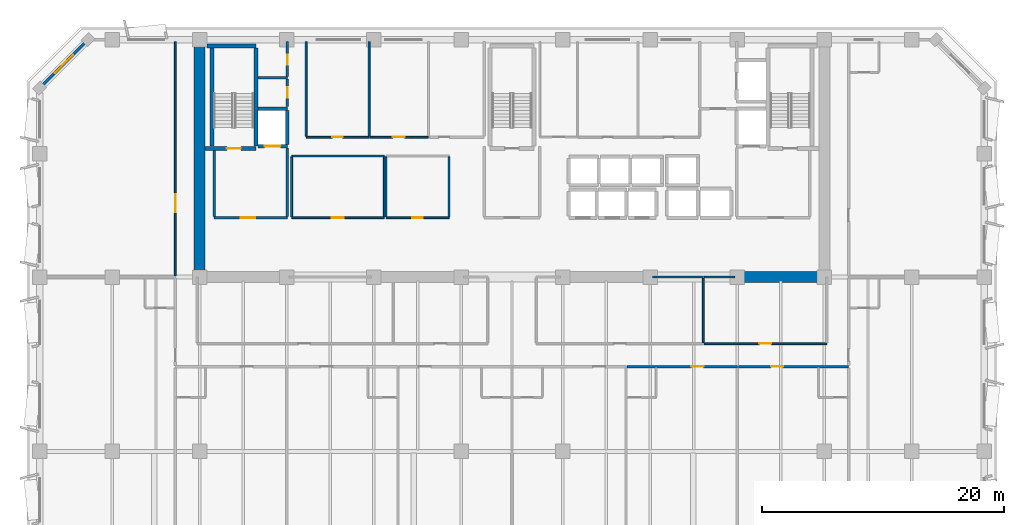
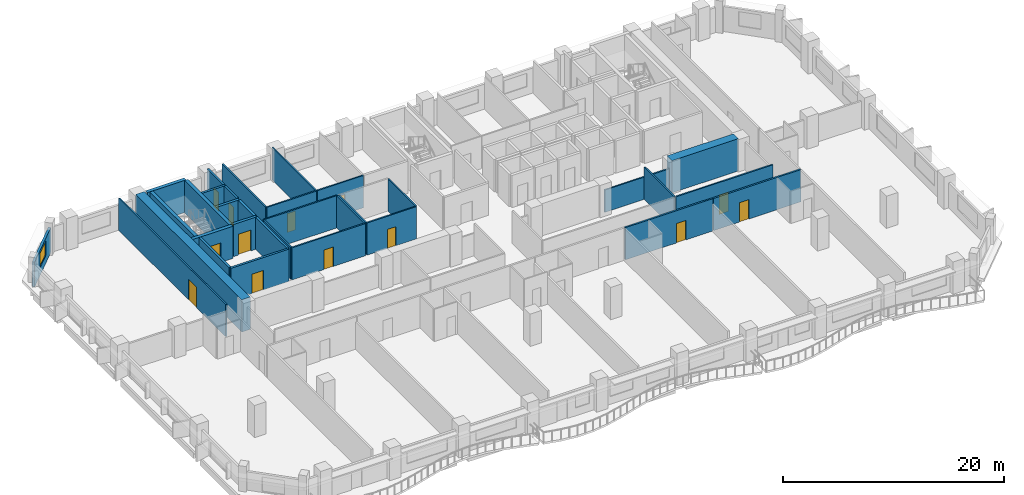
# One storey, part 6 of 14: 34 walls, 13 doors, 1 window, 14 openings.
"""IFC4 building model written with IfcOpenShell, lengths in metres."""

import ifcopenshell
import ifcopenshell.guid

model = None  # the IFC model being written
_history = None  # IfcOwnerHistory: only IFC2X3 demands one
_inside = {}  # id of a spatial element -> (the spatial element, [elements in it])
_under = {}  # id of a project, library or spatial element -> (it, [spatial elements below it])
_declared = {}  # id of a project -> (the project, [libraries it declares])
_typed = {}  # id of a type object -> (the type object, [elements of that type])
_made_of = {}  # id of a material, layer set ... -> (it, [elements and type objects made of it])


def new_model(schema):
    """Start an empty IFC model of exactly this schema.

    Asked for "IFC4X3", IfcOpenShell would pick the latest addendum, in which some entities
    have other attributes; the version numbers below select the first issue.
    IFC2X3 requires an IfcOwnerHistory on every rooted entity: one is made here for all.
    """
    global model, _history
    if schema == "IFC4X3":
        model = ifcopenshell.file(schema_version=(4, 3, 0, 0))
    else:
        model = ifcopenshell.file(schema=schema)
    _inside.clear()
    _under.clear()
    _declared.clear()
    _typed.clear()
    _made_of.clear()
    _history = None
    if model.schema == "IFC2X3":
        org = make("IfcOrganization", Name="unknown")
        user = make(
            "IfcPersonAndOrganization",
            ThePerson=make("IfcPerson", FamilyName="unknown"),
            TheOrganization=org,
        )
        app = make(
            "IfcApplication",
            ApplicationDeveloper=org,
            Version="unknown",
            ApplicationFullName="unknown",
            ApplicationIdentifier="unknown",
        )
        _history = make(
            "IfcOwnerHistory",
            OwningUser=user,
            OwningApplication=app,
            ChangeAction="ADDED",
            CreationDate=0,
        )
    return model


def make(cls, **values):
    """One entity of the class cls with the attributes given. An attribute that is None is left unset."""
    return model.create_entity(
        cls, **{name: value for name, value in values.items() if value is not None}
    )


def rooted(cls, **values):
    """An entity with a GlobalId (a new one), such as an element, a storey or a relation."""
    return make(cls, GlobalId=ifcopenshell.guid.new(), OwnerHistory=_history, **values)


def si_unit(unit_type, name, prefix=None):
    """IfcSIUnit, for example si_unit("LENGTHUNIT", "METRE", prefix="MILLI")."""
    return make("IfcSIUnit", UnitType=unit_type, Prefix=prefix, Name=name)


def assignment(units):
    """IfcUnitAssignment: the units of a project."""
    return None if units is None else make("IfcUnitAssignment", Units=units)


def point(xyz):
    """IfcCartesianPoint."""
    return None if xyz is None else make("IfcCartesianPoint", Coordinates=xyz)


def direction(xyz):
    """IfcDirection."""
    return None if xyz is None else make("IfcDirection", DirectionRatios=xyz)


def frame(location, z_axis=None, x_axis=None):
    """IfcAxis2Placement3D, a coordinate frame: its origin and axes. An axis left out is left unset."""
    return make(
        "IfcAxis2Placement3D",
        Location=point(location),
        Axis=direction(z_axis),
        RefDirection=direction(x_axis),
    )


def frame_2d(location, x_axis=None):
    """IfcAxis2Placement2D, a coordinate frame in the plane: its origin and x axis."""
    return make(
        "IfcAxis2Placement2D", Location=point(location), RefDirection=direction(x_axis)
    )


def origin():
    """The frame at (0, 0, 0) with its axes left unset."""
    return frame((0.0, 0.0, 0.0))


def place(relative_to, where):
    """IfcLocalPlacement: puts the frame where relative to a parent placement (None: the world)."""
    return make(
        "IfcLocalPlacement", PlacementRelTo=relative_to, RelativePlacement=where
    )


def context(
    kind, dimensions, precision=None, world=None, true_north=None, identifier=None
):
    """IfcGeometricRepresentationContext, for example the 3D "Model" context."""
    return make(
        "IfcGeometricRepresentationContext",
        ContextIdentifier=identifier,
        ContextType=kind,
        CoordinateSpaceDimension=dimensions,
        Precision=precision,
        WorldCoordinateSystem=world,
        TrueNorth=true_north,
    )


def subcontext(parent, identifier, kind, view, scale=None):
    """IfcGeometricRepresentationSubContext, for example "Body" below "Model"."""
    return make(
        "IfcGeometricRepresentationSubContext",
        ContextIdentifier=identifier,
        ContextType=kind,
        ParentContext=parent,
        TargetScale=scale,
        TargetView=view,
    )


def project(units=None, contexts=None):
    """IfcProject with its units and contexts."""
    return rooted(
        "IfcProject",
        Name="project",
        RepresentationContexts=contexts,
        UnitsInContext=assignment(units),
    )


def spatial(cls, under=None, at=None, **own):
    """A site, building, storey or space (cls), placed at a placement, below another one or the project."""
    s = rooted(cls, ObjectPlacement=at, **own)
    if under is not None:
        _under.setdefault(under.id(), (under, []))[1].append(s)
    return s


def profile(cls, at=None, kind="AREA", **sizes):
    """A parametric profile (cls). Its sizes go by their IFC names, for example OverallWidth=200.0."""
    return make(cls, ProfileType=kind, Position=at, **sizes)


def rectangle(**sizes):
    """IfcRectangleProfileDef."""
    return profile("IfcRectangleProfileDef", **sizes)


def extrude(swept, where, along, depth):
    """IfcExtrudedAreaSolid: the profile swept, set in the frame where, extruded along a direction by depth."""
    return make(
        "IfcExtrudedAreaSolid",
        SweptArea=swept,
        Position=where,
        ExtrudedDirection=direction(along),
        Depth=depth,
    )


def shape(context_of_items, identifier, shape_type, items):
    """IfcShapeRepresentation: the items that make up one representation, for example the "Body"."""
    return make(
        "IfcShapeRepresentation",
        ContextOfItems=context_of_items,
        RepresentationIdentifier=identifier,
        RepresentationType=shape_type,
        Items=items,
    )


def material(Name=None, Category=None):
    """IfcMaterial."""
    return make("IfcMaterial", Name=Name, Category=Category)


def layer(
    of_material, thickness, ventilated=None, Name=None, Category=None, Priority=None
):
    """IfcMaterialLayer: one layer of a wall or slab, of a material (None: an air gap)."""
    return make(
        "IfcMaterialLayer",
        Material=of_material,
        LayerThickness=thickness,
        IsVentilated=ventilated,
        Name=Name,
        Category=Category,
        Priority=Priority,
    )


def layer_set(layers, Name=None):
    """IfcMaterialLayerSet."""
    return make("IfcMaterialLayerSet", MaterialLayers=layers, LayerSetName=Name)


def made_of(thing, what):
    """Note that an element or type object is made of a material, layer set ...; save() writes the relation."""
    if what is not None:
        _made_of.setdefault(what.id(), (what, []))[1].append(thing)
    return thing


def type_object(cls, material=None, **own):
    """A type object (cls), such as IfcWallType, which elements share."""
    return made_of(rooted(cls, **own), material)


def element(
    cls,
    number,
    at=None,
    inside=None,
    cuts=None,
    type_object=None,
    material=None,
    context=None,
    identifier="Body",
    shape_type=None,
    held_by="IfcProductDefinitionShape",
    body=None,
    shapes=None,
    **own,
):
    """One element of the class cls, such as IfcWall. Its Tag is "e" and its number.

    at: its placement. inside: the storey or other place that contains it. cuts: it is an
    opening in that element (IfcRelVoidsElement). A single representation is given by context,
    identifier, shape_type and body (its items); several are given by shapes. held_by: the class
    of the entity that holds the representations. save() writes the other relations.
    """
    e = rooted(cls, Tag="e%d" % number, ObjectPlacement=at, **own)
    if body is not None:
        shapes = [shape(context, identifier, shape_type, body)]
    if shapes is not None:
        e.Representation = make(held_by, Representations=shapes)
    if inside is not None:
        _inside.setdefault(inside.id(), (inside, []))[1].append(e)
    if cuts is not None:
        rooted(
            "IfcRelVoidsElement", RelatingBuildingElement=cuts, RelatedOpeningElement=e
        )
    if type_object is not None:
        _typed.setdefault(type_object.id(), (type_object, []))[1].append(e)
    return made_of(e, material)


def fill(opening, filler):
    """IfcRelFillsElement: the door or window that sits in an opening."""
    return rooted(
        "IfcRelFillsElement",
        RelatingOpeningElement=opening,
        RelatedBuildingElement=filler,
    )


def aggregate(whole, parts):
    """IfcRelAggregates: a whole, such as a stair, and the parts it consists of."""
    return rooted("IfcRelAggregates", RelatingObject=whole, RelatedObjects=parts)


def save(model, path):
    """Write the relations noted so far, then the file.

    IfcRelAggregates (storeys below a building ...), IfcRelContainedInSpatialStructure (elements
    in a storey), IfcRelDefinesByType, IfcRelAssociatesMaterial and IfcRelDeclares: one each for
    every whole, place, type object, material and project.
    """
    for whole, parts in _under.values():
        aggregate(whole, parts)
    for where, things in _inside.values():
        rooted(
            "IfcRelContainedInSpatialStructure",
            RelatedElements=things,
            RelatingStructure=where,
        )
    for kind, things in _typed.values():
        rooted("IfcRelDefinesByType", RelatedObjects=things, RelatingType=kind)
    for what, things in _made_of.values():
        rooted("IfcRelAssociatesMaterial", RelatedObjects=things, RelatingMaterial=what)
    for by, libraries in _declared.values():
        rooted("IfcRelDeclares", RelatingContext=by, RelatedDefinitions=libraries)
    model.write(path)


model = new_model("IFC4")

# Units and contexts
model_context = context("Model", 3, precision=1e-05, world=origin(), true_north=direction((0.0, 1.0)))
body_context = subcontext(model_context, "Body", "Model", "MODEL_VIEW")
ifc_project = project(units=[si_unit("LENGTHUNIT", "METRE"), si_unit("AREAUNIT", "SQUARE_METRE"), si_unit("VOLUMEUNIT", "CUBIC_METRE"), si_unit("PLANEANGLEUNIT", "RADIAN"), si_unit("MASSUNIT", "GRAM", prefix="KILO")], contexts=[model_context])

# Site, building, storey
site_placement = place(None, origin())
site = spatial("IfcSite", under=ifc_project, at=site_placement, CompositionType="ELEMENT")
building_placement = place(site_placement, origin())
building = spatial("IfcBuilding", under=site, at=building_placement, Name="Kaelvorn Grand Hotel", CompositionType="ELEMENT")
storey_placement = place(building_placement, frame((0.0, 0.0, 190.14990234375)))
storey = spatial("IfcBuildingStorey", under=building, at=storey_placement, Name="L46", CompositionType="ELEMENT", Elevation=190.14990234375)

# Walls
ifc_material_1 = material(Name="Concrete C60/75", Category="concrete")
ifc_layer_1 = layer(ifc_material_1, 0.89990234375)
ifc_layer_set_1 = layer_set([ifc_layer_1], Name="Concrete C60/75")
wall_type_1 = type_object("IfcWallType", Name="WL-CORE-900-C60", PredefinedType="SHEAR", material=ifc_layer_set_1)
wall_1_placement = place(storey_placement, frame((16.199951171875, 29.39990234375, 0.0), z_axis=(0.0, 0.0, 1.0), x_axis=(0.0, 1.0, 0.0)))
element("IfcWall", 1, at=wall_1_placement, inside=storey, type_object=wall_type_1, Name="L46 Rear-Core West Shear Wall", PredefinedType="SHEAR", context=body_context, shape_type="SweptSolid", body=[
    extrude(rectangle(XDim=19.2001953125, YDim=0.89990234375, at=frame_2d((9.60009765625, 0.0))), origin(), (0.0, 0.0, 1.0), 3.56005859375),
])
wall_2_placement = place(storey_placement, frame((60.39990234375, 29.39990234375, 0.0), z_axis=(0.0, 0.0, 1.0), x_axis=(1.0, 0.0, 0.0)))
element("IfcWall", 2, at=wall_2_placement, inside=storey, type_object=wall_type_1, Name="L46 Rear-Core Coupled Shear Pier S4", PredefinedType="SHEAR", context=body_context, shape_type="SweptSolid", body=[
    extrude(rectangle(XDim=6.945068359375, YDim=0.89990234375, at=frame_2d((3.47265625, 0.0))), origin(), (0.0, 0.0, 1.0), 3.56005859375),
])

# Wall, opening, window
ifc_material_2 = material(Name="Concrete C40/50", Category="concrete")
ifc_layer_2 = layer(ifc_material_2, 0.239990234375)
ifc_layer_set_2 = layer_set([ifc_layer_2], Name="Concrete C40/50")
wall_type_2 = type_object("IfcWallType", Name="WL-EXT-240-C40", PredefinedType="SOLIDWALL", material=ifc_layer_set_2)
wall_3_placement = place(storey_placement, frame((7.0, 49.0, 0.0), z_axis=(0.0, 0.0, 1.0), x_axis=(-0.707106781187, -0.707106781187, 0.0)))
wall_3 = element("IfcWall", 3, at=wall_3_placement, inside=storey, type_object=wall_type_2, Name="L46 Exterior Architectural Concrete Wall 06", PredefinedType="SOLIDWALL", context=body_context, shape_type="SweptSolid", body=[
    extrude(rectangle(XDim=5.65673828125, YDim=0.239990234375, at=frame_2d((2.828369140625, 0.0))), origin(), (0.0, 0.0, 1.0), 2.760009765625),
])
opening_1_placement = place(wall_3_placement, frame((1.7783203125, 0.0, 0.85009765625)))
opening_1 = element("IfcOpeningElement", 4, at=opening_1_placement, cuts=wall_3, Name="Opening W7", PredefinedType="OPENING", context=body_context, shape_type="SweptSolid", body=[
    extrude(rectangle(XDim=2.10009765625, YDim=1.60009765625, at=frame_2d((1.050048828125, 0.800048828125))), frame((0.0, 0.1298828125, 0.0), z_axis=(0.0, -1.0, 0.0), x_axis=(1.0, 0.0, 0.0)), (0.0, 0.0, 1.0), 0.260009765625),
])
ifc_material_3 = material(Name="Laminated Low-E Glass", Category="glass")
window_type = type_object("IfcWindowType", Name="WIN-CHM-2100x1600", PartitioningType="SINGLE_PANEL", PredefinedType="WINDOW", material=ifc_material_3)
window_placement = place(opening_1_placement, origin())
window = element("IfcWindow", 5, at=window_placement, inside=storey, type_object=window_type, Name="L46 Chamfered 45-Degree Corner Window NW", OverallHeight=1.60009765625, OverallWidth=2.10009765625, PartitioningType="SINGLE_PANEL", PredefinedType="WINDOW", context=body_context, shape_type="SweptSolid", body=[
    extrude(rectangle(XDim=2.10009765625, YDim=1.60009765625, at=frame_2d((1.050048828125, 0.800048828125))), frame((0.0, 0.030029296875, 0.0), z_axis=(0.0, -1.0, 0.0), x_axis=(1.0, 0.0, 0.0)), (0.0, 0.0, 1.0), 0.06005859375),
])
fill(opening_1, window)

# Wall, opening, door
ifc_material_4 = material(Name="Acoustic Gypsum & Stud Partition")
ifc_layer_3 = layer(ifc_material_4, 0.14990234375)
ifc_layer_set_3 = layer_set([ifc_layer_3], Name="Acoustic Gypsum & Stud Partition")
wall_type_3 = type_object("IfcWallType", Name="WL-PART-150-EI60", PredefinedType="PARTITIONING", material=ifc_layer_set_3)
wall_4_placement = place(storey_placement, frame((31.60009765625, 34.300048828125, 0.0), z_axis=(0.0, 0.0, 1.0), x_axis=(1.0, 0.0, 0.0)))
wall_4 = element("IfcWall", 6, at=wall_4_placement, inside=storey, type_object=wall_type_3, Name="L46 Core Telecoms & BMS Server Room S Partition", PredefinedType="PARTITIONING", context=body_context, shape_type="SweptSolid", body=[
    extrude(rectangle(XDim=5.199951171875, YDim=0.14990234375, at=frame_2d((2.60009765625, 0.0))), origin(), (0.0, 0.0, 1.0), 3.56005859375),
])
opening_2_placement = place(wall_4_placement, frame((2.175048828125, 0.0, 0.0)))
opening_2 = element("IfcOpeningElement", 7, at=opening_2_placement, cuts=wall_4, Name="Opening DI7", PredefinedType="OPENING", context=body_context, shape_type="SweptSolid", body=[
    extrude(rectangle(XDim=0.85009765625, YDim=2.10009765625, at=frame_2d((0.425048828125, 1.050048828125))), frame((0.0, 0.0849609375, 0.0), z_axis=(0.0, -1.0, 0.0), x_axis=(1.0, 0.0, 0.0)), (0.0, 0.0, 1.0), 0.169921875),
])
ifc_material_5 = material(Name="Powder-Coated Steel Leaf", Category="steel")
door_type_1 = type_object("IfcDoorType", Name="DR-INT-RISER-850x2100", OperationType="NOTDEFINED", PredefinedType="DOOR", material=ifc_material_5)
door_1_placement = place(opening_2_placement, origin())
door_1 = element("IfcDoor", 8, at=door_1_placement, inside=storey, type_object=door_type_1, Name="L46 Core Telecoms & BMS Server Room Door", OperationType="SINGLE_SWING_LEFT", OverallHeight=2.10009765625, OverallWidth=0.85009765625, PredefinedType="DOOR", context=body_context, shape_type="SweptSolid", body=[
    extrude(rectangle(XDim=0.85009765625, YDim=2.10009765625, at=frame_2d((0.425048828125, 1.050048828125))), frame((0.0, 0.02490234375, 0.0), z_axis=(0.0, -1.0, 0.0), x_axis=(1.0, 0.0, 0.0)), (0.0, 0.0, 1.0), 0.050048828125),
])
fill(opening_2, door_1)

# Walls
for number, where, z_axis, x_axis, name in (
    (9, (31.60009765625, 34.3798828125, 0.0), (0.0, 0.0, 1.0), (0.0, 1.0, 0.0), "L46 Core Telecoms & BMS Server Room W Partition"),
    (10, (36.800048828125, 34.3798828125, 0.0), (0.0, 0.0, 1.0), (0.0, 1.0, 0.0), "L46 Core Telecoms & BMS Server Room E Partition"),
):
    element("IfcWall", number, at=place(storey_placement, frame(where, z_axis=z_axis, x_axis=x_axis)), inside=storey, type_object=wall_type_3, Name=name, PredefinedType="PARTITIONING", context=body_context, shape_type="SweptSolid", body=[
        extrude(rectangle(XDim=4.940185546875, YDim=0.14990234375, at=frame_2d((2.47021484375, 0.0))), origin(), (0.0, 0.0, 1.0), 3.56005859375),
    ])

# Wall, opening, door
wall_5_placement = place(storey_placement, frame((23.800048828125, 34.300048828125, 0.0), z_axis=(0.0, 0.0, 1.0), x_axis=(1.0, 0.0, 0.0)))
wall_5 = element("IfcWall", 11, at=wall_5_placement, inside=storey, type_object=wall_type_3, Name="L46 Executive Club Sitting Lounge S Partition", PredefinedType="PARTITIONING", context=body_context, shape_type="SweptSolid", body=[
    extrude(rectangle(XDim=7.64990234375, YDim=0.14990234375, at=frame_2d((3.824951171875, 0.0))), origin(), (0.0, 0.0, 1.0), 3.56005859375),
])
opening_3_placement = place(wall_5_placement, frame((3.300048828125, 0.0, 0.0)))
opening_3 = element("IfcOpeningElement", 12, at=opening_3_placement, cuts=wall_5, Name="Opening DI3", PredefinedType="OPENING", context=body_context, shape_type="SweptSolid", body=[
    extrude(rectangle(XDim=1.0, YDim=2.14990234375, at=frame_2d((0.5, 1.074951171875))), frame((0.0, 0.0849609375, 0.0), z_axis=(0.0, -1.0, 0.0), x_axis=(1.0, 0.0, 0.0)), (0.0, 0.0, 1.0), 0.169921875),
])
ifc_material_6 = material(Name="Timber Veneer Fire Leaf", Category="wood")
door_type_2 = type_object("IfcDoorType", Name="DR-INT-GUEST-1000x2150", OperationType="NOTDEFINED", PredefinedType="DOOR", material=ifc_material_6)
door_2_placement = place(opening_3_placement, origin())
door_2 = element("IfcDoor", 13, at=door_2_placement, inside=storey, type_object=door_type_2, Name="L46 Executive Club Sitting Lounge Door", OperationType="SINGLE_SWING_RIGHT", OverallHeight=2.14990234375, OverallWidth=1.0, PredefinedType="DOOR", context=body_context, shape_type="SweptSolid", body=[
    extrude(rectangle(XDim=1.0, YDim=2.14990234375, at=frame_2d((0.5, 1.074951171875))), frame((0.0, 0.02490234375, 0.0), z_axis=(0.0, -1.0, 0.0), x_axis=(1.0, 0.0, 0.0)), (0.0, 0.0, 1.0), 0.050048828125),
])
fill(opening_3, door_2)

# Walls
wall_6_placement = place(storey_placement, frame((23.800048828125, 39.39990234375, 0.0), z_axis=(0.0, 0.0, 1.0), x_axis=(1.0, 0.0, 0.0)))
element("IfcWall", 14, at=wall_6_placement, inside=storey, type_object=wall_type_3, Name="L46 Executive Club Sitting Lounge N Partition", PredefinedType="PARTITIONING", context=body_context, shape_type="SweptSolid", body=[
    extrude(rectangle(XDim=7.64990234375, YDim=0.14990234375, at=frame_2d((3.824951171875, 0.0))), origin(), (0.0, 0.0, 1.0), 3.56005859375),
])
for number, where, z_axis, x_axis, name in (
    (15, (23.800048828125, 34.3798828125, 0.0), (0.0, 0.0, 1.0), (0.0, 1.0, 0.0), "L46 Executive Club Sitting Lounge W Partition"),
    (16, (31.449951171875, 34.3798828125, 0.0), (0.0, 0.0, 1.0), (0.0, 1.0, 0.0), "L46 Executive Club Sitting Lounge E Partition"),
):
    element("IfcWall", number, at=place(storey_placement, frame(where, z_axis=z_axis, x_axis=x_axis)), inside=storey, type_object=wall_type_3, Name=name, PredefinedType="PARTITIONING", context=body_context, shape_type="SweptSolid", body=[
        extrude(rectangle(XDim=4.940185546875, YDim=0.14990234375, at=frame_2d((2.47021484375, 0.0))), origin(), (0.0, 0.0, 1.0), 3.56005859375),
    ])

# Wall, opening, door
wall_7_placement = place(storey_placement, frame((25.0, 40.949951171875, 0.0), z_axis=(0.0, 0.0, 1.0), x_axis=(1.0, 0.0, 0.0)))
wall_7 = element("IfcWall", 17, at=wall_7_placement, inside=storey, type_object=wall_type_3, Name="L46 Housekeeping & Linen Room S Partition", PredefinedType="PARTITIONING", context=body_context, shape_type="SweptSolid", body=[
    extrude(rectangle(XDim=5.199951171875, YDim=0.14990234375, at=frame_2d((2.60009765625, 0.0))), origin(), (0.0, 0.0, 1.0), 3.56005859375),
])
opening_4_placement = place(wall_7_placement, frame((2.175048828125, 0.0, 0.0)))
opening_4 = element("IfcOpeningElement", 18, at=opening_4_placement, cuts=wall_7, Name="Opening DI7", PredefinedType="OPENING", context=body_context, shape_type="SweptSolid", body=[
    extrude(rectangle(XDim=0.85009765625, YDim=2.10009765625, at=frame_2d((0.425048828125, 1.050048828125))), frame((0.0, 0.0849609375, 0.0), z_axis=(0.0, -1.0, 0.0), x_axis=(1.0, 0.0, 0.0)), (0.0, 0.0, 1.0), 0.169921875),
])
door_3_placement = place(opening_4_placement, origin())
door_3 = element("IfcDoor", 19, at=door_3_placement, inside=storey, type_object=door_type_1, Name="L46 Housekeeping & Linen Room Door", OperationType="SINGLE_SWING_LEFT", OverallHeight=2.10009765625, OverallWidth=0.85009765625, PredefinedType="DOOR", context=body_context, shape_type="SweptSolid", body=[
    extrude(rectangle(XDim=0.85009765625, YDim=2.10009765625, at=frame_2d((0.425048828125, 1.050048828125))), frame((0.0, 0.02490234375, 0.0), z_axis=(0.0, -1.0, 0.0), x_axis=(1.0, 0.0, 0.0)), (0.0, 0.0, 1.0), 0.050048828125),
])
fill(opening_4, door_3)

# Walls
for number, where, z_axis, x_axis, name in (
    (20, (25.0, 41.030029296875, 0.0), (0.0, 0.0, 1.0), (0.0, 1.0, 0.0), "L46 Housekeeping & Linen Room W Partition"),
    (21, (30.199951171875, 41.030029296875, 0.0), (0.0, 0.0, 1.0), (0.0, 1.0, 0.0), "L46 Housekeeping & Linen Room E Partition"),
):
    element("IfcWall", number, at=place(storey_placement, frame(where, z_axis=z_axis, x_axis=x_axis)), inside=storey, type_object=wall_type_3, Name=name, PredefinedType="PARTITIONING", context=body_context, shape_type="SweptSolid", body=[
        extrude(rectangle(XDim=7.820068359375, YDim=0.14990234375, at=frame_2d((3.91015625, 0.0))), origin(), (0.0, 0.0, 1.0), 3.56005859375),
    ])

# Wall, opening, door
wall_8_placement = place(storey_placement, frame((30.280029296875, 40.949951171875, 0.0), z_axis=(0.0, 0.0, 1.0), x_axis=(1.0, 0.0, 0.0)))
wall_8 = element("IfcWall", 22, at=wall_8_placement, inside=storey, type_object=wall_type_3, Name="L46 Room Service Servery Pantry S Partition", PredefinedType="PARTITIONING", context=body_context, shape_type="SweptSolid", body=[
    extrude(rectangle(XDim=4.820068359375, YDim=0.14990234375, at=frame_2d((2.41015625, 0.0))), origin(), (0.0, 0.0, 1.0), 3.56005859375),
])
opening_5_placement = place(wall_8_placement, frame((1.8701171875, 0.0, 0.0)))
opening_5 = element("IfcOpeningElement", 23, at=opening_5_placement, cuts=wall_8, Name="Opening DI3", PredefinedType="OPENING", context=body_context, shape_type="SweptSolid", body=[
    extrude(rectangle(XDim=1.0, YDim=2.14990234375, at=frame_2d((0.5, 1.074951171875))), frame((0.0, 0.0849609375, 0.0), z_axis=(0.0, -1.0, 0.0), x_axis=(1.0, 0.0, 0.0)), (0.0, 0.0, 1.0), 0.169921875),
])
door_4_placement = place(opening_5_placement, origin())
door_4 = element("IfcDoor", 24, at=door_4_placement, inside=storey, type_object=door_type_2, Name="L46 Room Service Servery Pantry Door", OperationType="SINGLE_SWING_RIGHT", OverallHeight=2.14990234375, OverallWidth=1.0, PredefinedType="DOOR", context=body_context, shape_type="SweptSolid", body=[
    extrude(rectangle(XDim=1.0, YDim=2.14990234375, at=frame_2d((0.5, 1.074951171875))), frame((0.0, 0.02490234375, 0.0), z_axis=(0.0, -1.0, 0.0), x_axis=(1.0, 0.0, 0.0)), (0.0, 0.0, 1.0), 0.050048828125),
])
fill(opening_5, door_4)

# Walls
wall_9_placement = place(storey_placement, frame((53.610107421875, 29.39990234375, 0.0), z_axis=(0.0, 0.0, 1.0), x_axis=(1.0, 0.0, 0.0)))
element("IfcWall", 25, at=wall_9_placement, inside=storey, type_object=wall_type_3, Name="L46 Family Sitting Room N Partition (2)", PredefinedType="PARTITIONING", context=body_context, shape_type="SweptSolid", body=[
    extrude(rectangle(XDim=4.18994140625, YDim=0.14990234375, at=frame_2d((2.094970703125, 0.0))), origin(), (0.0, 0.0, 1.0), 2.460205078125),
])
wall_10_placement = place(storey_placement, frame((57.800048828125, 23.97998046875, 0.0), z_axis=(0.0, 0.0, 1.0), x_axis=(0.0, 1.0, 0.0)))
element("IfcWall", 26, at=wall_10_placement, inside=storey, type_object=wall_type_3, Name="L46 Family Sitting Room E Partition", PredefinedType="PARTITIONING", context=body_context, shape_type="SweptSolid", body=[
    extrude(rectangle(XDim=5.340087890625, YDim=0.14990234375, at=frame_2d((2.669921875, 0.0))), origin(), (0.0, 0.0, 1.0), 3.56005859375),
])

# Wall, opening, door
wall_11_placement = place(storey_placement, frame((57.8798828125, 23.89990234375, 0.0), z_axis=(0.0, 0.0, 1.0), x_axis=(1.0, 0.0, 0.0)))
wall_11 = element("IfcWall", 27, at=wall_11_placement, inside=storey, type_object=wall_type_3, Name="L46 VIP Dining Restaurant S Partition", PredefinedType="PARTITIONING", context=body_context, shape_type="SweptSolid", body=[
    extrude(rectangle(XDim=10.1201171875, YDim=0.14990234375, at=frame_2d((5.06005859375, 0.0))), origin(), (0.0, 0.0, 1.0), 3.56005859375),
])
opening_6_placement = place(wall_11_placement, frame((4.52001953125, 0.0, 0.0)))
opening_6 = element("IfcOpeningElement", 28, at=opening_6_placement, cuts=wall_11, Name="Opening DI3", PredefinedType="OPENING", context=body_context, shape_type="SweptSolid", body=[
    extrude(rectangle(XDim=1.0, YDim=2.14990234375, at=frame_2d((0.5, 1.074951171875))), frame((0.0, 0.0849609375, 0.0), z_axis=(0.0, -1.0, 0.0), x_axis=(1.0, 0.0, 0.0)), (0.0, 0.0, 1.0), 0.169921875),
])
door_5_placement = place(opening_6_placement, origin())
door_5 = element("IfcDoor", 29, at=door_5_placement, inside=storey, type_object=door_type_2, Name="L46 VIP Dining Restaurant Door", OperationType="SINGLE_SWING_RIGHT", OverallHeight=2.14990234375, OverallWidth=1.0, PredefinedType="DOOR", context=body_context, shape_type="SweptSolid", body=[
    extrude(rectangle(XDim=1.0, YDim=2.14990234375, at=frame_2d((0.5, 1.074951171875))), frame((0.0, 0.02490234375, 0.0), z_axis=(0.0, -1.0, 0.0), x_axis=(1.0, 0.0, 0.0)), (0.0, 0.0, 1.0), 0.050048828125),
])
fill(opening_6, door_5)

# Wall
wall_12_placement = place(storey_placement, frame((57.8798828125, 29.39990234375, 0.0), z_axis=(0.0, 0.0, 1.0), x_axis=(1.0, 0.0, 0.0)))
element("IfcWall", 30, at=wall_12_placement, inside=storey, type_object=wall_type_3, Name="L46 VIP Dining Restaurant N Partition", PredefinedType="PARTITIONING", context=body_context, shape_type="SweptSolid", body=[
    extrude(rectangle(XDim=2.510009765625, YDim=0.14990234375, at=frame_2d((1.2548828125, 0.0))), origin(), (0.0, 0.0, 1.0), 2.460205078125),
])

# Wall, opening, door
wall_13_placement = place(storey_placement, frame((14.199951171875, 29.4951171875, 0.0), z_axis=(0.0, 0.0, 1.0), x_axis=(0.0, 1.0, 0.0)))
wall_13 = element("IfcWall", 31, at=wall_13_placement, inside=storey, type_object=wall_type_3, Name="L46 North-West Family Sitting Room E Partition", PredefinedType="PARTITIONING", context=body_context, shape_type="SweptSolid", body=[
    extrude(rectangle(XDim=19.35498046875, YDim=0.14990234375, at=frame_2d((9.677490234375, 0.0))), origin(), (0.0, 0.0, 1.0), 3.56005859375),
])
opening_7_placement = place(wall_13_placement, frame((5.2548828125, 0.0, 0.0)))
opening_7 = element("IfcOpeningElement", 32, at=opening_7_placement, cuts=wall_13, Name="Opening DI5", PredefinedType="OPENING", context=body_context, shape_type="SweptSolid", body=[
    extrude(rectangle(XDim=1.5, YDim=2.25, at=frame_2d((0.75, 1.125))), frame((0.0, 0.0849609375, 0.0), z_axis=(0.0, -1.0, 0.0), x_axis=(1.0, 0.0, 0.0)), (0.0, 0.0, 1.0), 0.169921875),
])
door_type_3 = type_object("IfcDoorType", Name="DR-INT-SALON-1500x2250", OperationType="DOUBLE_DOOR_SINGLE_SWING", PredefinedType="DOOR", material=ifc_material_6)
door_6_placement = place(opening_7_placement, origin())
door_6 = element("IfcDoor", 33, at=door_6_placement, inside=storey, type_object=door_type_3, Name="L46 North-West Family Sitting Room Door", OperationType="DOUBLE_DOOR_SINGLE_SWING", OverallHeight=2.25, OverallWidth=1.5, PredefinedType="DOOR", context=body_context, shape_type="SweptSolid", body=[
    extrude(rectangle(XDim=1.5, YDim=2.25, at=frame_2d((0.75, 1.125))), frame((0.0, 0.02490234375, 0.0), z_axis=(0.0, -1.0, 0.0), x_axis=(1.0, 0.0, 0.0)), (0.0, 0.0, 1.0), 0.050048828125),
])
fill(opening_7, door_6)

ifc_layer_4 = layer(ifc_material_4, 0.179931640625)
ifc_layer_set_4 = layer_set([ifc_layer_4], Name="Acoustic Gypsum & Stud Partition")
wall_type_4 = type_object("IfcWallType", Name="WL-PART-180-EI60", PredefinedType="PARTITIONING", material=ifc_layer_set_4)
wall_14_placement = place(storey_placement, frame((51.504150390625, 22.0, 0.0), z_axis=(0.0, 0.0, 1.0), x_axis=(1.0, 0.0, 0.0)))
wall_14 = element("IfcWall", 34, at=wall_14_placement, inside=storey, type_object=wall_type_4, Name="L46 Mid-Rise Signature Suite L46-05 N Partition", PredefinedType="PARTITIONING", context=body_context, shape_type="SweptSolid", body=[
    extrude(rectangle(XDim=9.100341796875, YDim=0.179931640625, at=frame_2d((4.55029296875, 0.0))), origin(), (0.0, 0.0, 1.0), 3.56005859375),
])
opening_8_placement = place(wall_14_placement, frame((5.310302734375, 0.0, 0.0)))
opening_8 = element("IfcOpeningElement", 35, at=opening_8_placement, cuts=wall_14, Name="Opening DI3", PredefinedType="OPENING", context=body_context, shape_type="SweptSolid", body=[
    extrude(rectangle(XDim=1.0, YDim=2.14990234375, at=frame_2d((0.5, 1.074951171875))), frame((0.0, 0.10009765625, 0.0), z_axis=(0.0, -1.0, 0.0), x_axis=(1.0, 0.0, 0.0)), (0.0, 0.0, 1.0), 0.199951171875),
])
door_7_placement = place(opening_8_placement, origin())
door_7 = element("IfcDoor", 36, at=door_7_placement, inside=storey, type_object=door_type_2, Name="L46 Mid-Rise Signature Suite L46-05 Door", OperationType="SINGLE_SWING_LEFT", OverallHeight=2.14990234375, OverallWidth=1.0, PredefinedType="DOOR", context=body_context, shape_type="SweptSolid", body=[
    extrude(rectangle(XDim=1.0, YDim=2.14990234375, at=frame_2d((0.5, 1.074951171875))), frame((0.0, 0.02490234375, 0.0), z_axis=(0.0, -1.0, 0.0), x_axis=(1.0, 0.0, 0.0)), (0.0, 0.0, 1.0), 0.050048828125),
])
fill(opening_8, door_7)

wall_15_placement = place(storey_placement, frame((60.69970703125, 22.0, 0.0), z_axis=(0.0, 0.0, 1.0), x_axis=(1.0, 0.0, 0.0)))
wall_15 = element("IfcWall", 37, at=wall_15_placement, inside=storey, type_object=wall_type_4, Name="L46 Mid-Rise Signature Suite L46-06 N Partition", PredefinedType="PARTITIONING", context=body_context, shape_type="SweptSolid", body=[
    extrude(rectangle(XDim=9.100341796875, YDim=0.179931640625, at=frame_2d((4.55029296875, 0.0))), origin(), (0.0, 0.0, 1.0), 3.56005859375),
])
opening_9_placement = place(wall_15_placement, frame((2.6904296875, 0.0, 0.0)))
opening_9 = element("IfcOpeningElement", 38, at=opening_9_placement, cuts=wall_15, Name="Opening DI3", PredefinedType="OPENING", context=body_context, shape_type="SweptSolid", body=[
    extrude(rectangle(XDim=1.0, YDim=2.14990234375, at=frame_2d((0.5, 1.074951171875))), frame((0.0, 0.10009765625, 0.0), z_axis=(0.0, -1.0, 0.0), x_axis=(1.0, 0.0, 0.0)), (0.0, 0.0, 1.0), 0.199951171875),
])
door_8_placement = place(opening_9_placement, origin())
door_8 = element("IfcDoor", 39, at=door_8_placement, inside=storey, type_object=door_type_2, Name="L46 Mid-Rise Signature Suite L46-06 Door", OperationType="SINGLE_SWING_LEFT", OverallHeight=2.14990234375, OverallWidth=1.0, PredefinedType="DOOR", context=body_context, shape_type="SweptSolid", body=[
    extrude(rectangle(XDim=1.0, YDim=2.14990234375, at=frame_2d((0.5, 1.074951171875))), frame((0.0, 0.02490234375, 0.0), z_axis=(0.0, -1.0, 0.0), x_axis=(1.0, 0.0, 0.0)), (0.0, 0.0, 1.0), 0.050048828125),
])
fill(opening_9, door_8)

ifc_layer_5 = layer(ifc_material_2, 0.219970703125)
ifc_layer_set_5 = layer_set([ifc_layer_5], Name="Concrete C40/50")
wall_type_5 = type_object("IfcWallType", Name="WL-PART-220-EI120", PredefinedType="PARTITIONING", material=ifc_layer_set_5)
wall_16_placement = place(storey_placement, frame((17.39990234375, 34.300048828125, 0.0), z_axis=(0.0, 0.0, 1.0), x_axis=(1.0, 0.0, 0.0)))
wall_16 = element("IfcWall", 40, at=wall_16_placement, inside=storey, type_object=wall_type_5, Name="L46 Firefighting Lift Lobby 1 S Partition", PredefinedType="PARTITIONING", context=body_context, shape_type="SweptSolid", body=[
    extrude(rectangle(XDim=6.050048828125, YDim=0.219970703125, at=frame_2d((3.02490234375, 0.0))), origin(), (0.0, 0.0, 1.0), 3.56005859375),
])
opening_10_placement = place(wall_16_placement, frame((2.199951171875, 0.0, 0.0)))
opening_10 = element("IfcOpeningElement", 41, at=opening_10_placement, cuts=wall_16, Name="Opening DI2", PredefinedType="OPENING", context=body_context, shape_type="SweptSolid", body=[
    extrude(rectangle(XDim=1.199951171875, YDim=2.14990234375, at=frame_2d((0.60009765625, 1.074951171875))), frame((0.0, 0.1201171875, 0.0), z_axis=(0.0, -1.0, 0.0), x_axis=(1.0, 0.0, 0.0)), (0.0, 0.0, 1.0), 0.239990234375),
])
door_type_4 = type_object("IfcDoorType", Name="DR-INT-FFLOB-1200x2150", OperationType="NOTDEFINED", PredefinedType="DOOR", material=ifc_material_6)
door_9_placement = place(opening_10_placement, origin())
door_9 = element("IfcDoor", 42, at=door_9_placement, inside=storey, type_object=door_type_4, Name="L46 Firefighting Lift Lobby 1 Door", OperationType="SINGLE_SWING_LEFT", OverallHeight=2.14990234375, OverallWidth=1.199951171875, PredefinedType="DOOR", context=body_context, shape_type="SweptSolid", body=[
    extrude(rectangle(XDim=1.199951171875, YDim=2.14990234375, at=frame_2d((0.60009765625, 1.074951171875))), frame((0.0, 0.02490234375, 0.0), z_axis=(0.0, -1.0, 0.0), x_axis=(1.0, 0.0, 0.0)), (0.0, 0.0, 1.0), 0.050048828125),
])
fill(opening_10, door_9)

# Walls
wall_17_placement = place(storey_placement, frame((17.39990234375, 34.4150390625, 0.0), z_axis=(0.0, 0.0, 1.0), x_axis=(0.0, 1.0, 0.0)))
element("IfcWall", 43, at=wall_17_placement, inside=storey, type_object=wall_type_5, Name="L46 Firefighting Lift Lobby 1 W Partition", PredefinedType="PARTITIONING", context=body_context, shape_type="SweptSolid", body=[
    extrude(rectangle(XDim=5.429931640625, YDim=0.219970703125, at=frame_2d((2.71484375, 0.0))), origin(), (0.0, 0.0, 1.0), 3.56005859375),
])
wall_18_placement = place(storey_placement, frame((23.449951171875, 34.4150390625, 0.0), z_axis=(0.0, 0.0, 1.0), x_axis=(0.0, 1.0, 0.0)))
element("IfcWall", 44, at=wall_18_placement, inside=storey, type_object=wall_type_5, Name="L46 Firefighting Lift Lobby 1 E Partition", PredefinedType="PARTITIONING", context=body_context, shape_type="SweptSolid", body=[
    extrude(rectangle(XDim=5.639892578125, YDim=0.219970703125, at=frame_2d((2.81982421875, 0.0))), origin(), (0.0, 0.0, 1.0), 3.56005859375),
])
wall_19_placement = place(storey_placement, frame((21.034912109375, 45.85009765625, 0.0), z_axis=(0.0, 0.0, 1.0), x_axis=(1.0, 0.0, 0.0)))
element("IfcWall", 45, at=wall_19_placement, inside=storey, type_object=wall_type_5, Name="L46 Wet Fire & Plumbing Riser Shaft N Partition", PredefinedType="PARTITIONING", context=body_context, shape_type="SweptSolid", body=[
    extrude(rectangle(XDim=2.4150390625, YDim=0.219970703125, at=frame_2d((1.20751953125, 0.0))), origin(), (0.0, 0.0, 1.0), 3.56005859375),
])

# Wall, opening, door
wall_20_placement = place(storey_placement, frame((23.449951171875, 43.5, 0.0), z_axis=(0.0, 0.0, 1.0), x_axis=(0.0, 1.0, 0.0)))
wall_20 = element("IfcWall", 46, at=wall_20_placement, inside=storey, type_object=wall_type_5, Name="L46 Wet Fire & Plumbing Riser Shaft E Partition", PredefinedType="PARTITIONING", context=body_context, shape_type="SweptSolid", body=[
    extrude(rectangle(XDim=2.235107421875, YDim=0.219970703125, at=frame_2d((1.11767578125, 0.0))), origin(), (0.0, 0.0, 1.0), 3.56005859375),
])
opening_11_placement = place(wall_20_placement, frame((0.72509765625, 0.0, 0.0)))
opening_11 = element("IfcOpeningElement", 47, at=opening_11_placement, cuts=wall_20, Name="Opening DI7", PredefinedType="OPENING", context=body_context, shape_type="SweptSolid", body=[
    extrude(rectangle(XDim=0.85009765625, YDim=2.10009765625, at=frame_2d((0.425048828125, 1.050048828125))), frame((0.0, 0.1201171875, 0.0), z_axis=(0.0, -1.0, 0.0), x_axis=(1.0, 0.0, 0.0)), (0.0, 0.0, 1.0), 0.239990234375),
])
door_10_placement = place(opening_11_placement, origin())
door_10 = element("IfcDoor", 48, at=door_10_placement, inside=storey, type_object=door_type_1, Name="L46 Wet Fire & Plumbing Riser Shaft Door", OperationType="SINGLE_SWING_LEFT", OverallHeight=2.10009765625, OverallWidth=0.85009765625, PredefinedType="DOOR", context=body_context, shape_type="SweptSolid", body=[
    extrude(rectangle(XDim=0.85009765625, YDim=2.10009765625, at=frame_2d((0.425048828125, 1.050048828125))), frame((0.0, 0.02490234375, 0.0), z_axis=(0.0, -1.0, 0.0), x_axis=(1.0, 0.0, 0.0)), (0.0, 0.0, 1.0), 0.050048828125),
])
fill(opening_11, door_10)

wall_21_placement = place(storey_placement, frame((23.449951171875, 45.965087890625, 0.0), z_axis=(0.0, 0.0, 1.0), x_axis=(0.0, 1.0, 0.0)))
wall_21 = element("IfcWall", 49, at=wall_21_placement, inside=storey, type_object=wall_type_5, Name="L46 HV Electrical & Smoke Riser E Partition", PredefinedType="PARTITIONING", context=body_context, shape_type="SweptSolid", body=[
    extrude(rectangle(XDim=2.885009765625, YDim=0.219970703125, at=frame_2d((1.4423828125, 0.0))), origin(), (0.0, 0.0, 1.0), 3.56005859375),
])
opening_12_placement = place(wall_21_placement, frame((0.9599609375, 0.0, 0.0)))
opening_12 = element("IfcOpeningElement", 50, at=opening_12_placement, cuts=wall_21, Name="Opening DI7", PredefinedType="OPENING", context=body_context, shape_type="SweptSolid", body=[
    extrude(rectangle(XDim=0.85009765625, YDim=2.10009765625, at=frame_2d((0.425048828125, 1.050048828125))), frame((0.0, 0.1201171875, 0.0), z_axis=(0.0, -1.0, 0.0), x_axis=(1.0, 0.0, 0.0)), (0.0, 0.0, 1.0), 0.239990234375),
])
door_11_placement = place(opening_12_placement, origin())
door_11 = element("IfcDoor", 51, at=door_11_placement, inside=storey, type_object=door_type_1, Name="L46 HV Electrical & Smoke Riser Door", OperationType="SINGLE_SWING_RIGHT", OverallHeight=2.10009765625, OverallWidth=0.85009765625, PredefinedType="DOOR", context=body_context, shape_type="SweptSolid", body=[
    extrude(rectangle(XDim=0.85009765625, YDim=2.10009765625, at=frame_2d((0.425048828125, 1.050048828125))), frame((0.0, 0.02490234375, 0.0), z_axis=(0.0, -1.0, 0.0), x_axis=(1.0, 0.0, 0.0)), (0.0, 0.0, 1.0), 0.050048828125),
])
fill(opening_12, door_11)

ifc_material_7 = material(Name="Concrete C50/60", Category="concrete")
ifc_layer_6 = layer(ifc_material_7, 0.280029296875)
ifc_layer_set_6 = layer_set([ifc_layer_6], Name="Concrete C50/60")
wall_type_6 = type_object("IfcWallType", Name="WL-SHAFT-280-C50", PredefinedType="SHEAR", material=ifc_layer_set_6)
wall_22_placement = place(storey_placement, frame((21.034912109375, 40.199951171875, 0.0), z_axis=(0.0, 0.0, 1.0), x_axis=(1.0, 0.0, 0.0)))
wall_22 = element("IfcWall", 52, at=wall_22_placement, inside=storey, type_object=wall_type_6, Name="L46 Lift FFL1 Shaft South Wall", PredefinedType="SHEAR", context=body_context, shape_type="SweptSolid", body=[
    extrude(rectangle(XDim=2.4150390625, YDim=0.280029296875, at=frame_2d((1.20751953125, 0.0))), origin(), (0.0, 0.0, 1.0), 3.56005859375),
])
opening_13_placement = place(wall_22_placement, frame((0.5400390625, 0.0, 0.0)))
opening_13 = element("IfcOpeningElement", 53, at=opening_13_placement, cuts=wall_22, Name="Opening LD-FFL1", PredefinedType="OPENING", context=body_context, shape_type="SweptSolid", body=[
    extrude(rectangle(XDim=1.300048828125, YDim=2.300048828125, at=frame_2d((0.64990234375, 1.14990234375))), frame((0.0, 0.14990234375, 0.0), z_axis=(0.0, -1.0, 0.0), x_axis=(1.0, 0.0, 0.0)), (0.0, 0.0, 1.0), 0.300048828125),
])
ifc_material_8 = material(Name="Stainless Steel", Category="steel")
door_type_5 = type_object("IfcDoorType", Name="DR-LIFT-SERV-1300x2300", OperationType="DOUBLE_DOOR_SLIDING", PredefinedType="DOOR", material=ifc_material_8)
door_12_placement = place(opening_13_placement, origin())
door_12 = element("IfcDoor", 54, at=door_12_placement, inside=storey, type_object=door_type_5, Name="L46 Lift FFL1 Sliding Landing Door LD-FFL1", OperationType="DOUBLE_DOOR_SLIDING", OverallHeight=2.300048828125, OverallWidth=1.300048828125, PredefinedType="DOOR", context=body_context, shape_type="SweptSolid", body=[
    extrude(rectangle(XDim=1.300048828125, YDim=2.300048828125, at=frame_2d((0.64990234375, 1.14990234375))), frame((0.0, 0.02490234375, 0.0), z_axis=(0.0, -1.0, 0.0), x_axis=(1.0, 0.0, 0.0)), (0.0, 0.0, 1.0), 0.050048828125),
])
fill(opening_13, door_12)

# Walls
wall_23_placement = place(storey_placement, frame((21.034912109375, 43.300048828125, 0.0), z_axis=(0.0, 0.0, 1.0), x_axis=(1.0, 0.0, 0.0)))
element("IfcWall", 55, at=wall_23_placement, inside=storey, type_object=wall_type_6, Name="L46 Lift FFL1 Shaft North Wall", PredefinedType="SHEAR", context=body_context, shape_type="SweptSolid", body=[
    extrude(rectangle(XDim=2.4150390625, YDim=0.280029296875, at=frame_2d((1.20751953125, 0.0))), origin(), (0.0, 0.0, 1.0), 3.56005859375),
])
wall_24_placement = place(storey_placement, frame((23.449951171875, 40.344970703125, 0.0), z_axis=(0.0, 0.0, 1.0), x_axis=(0.0, 1.0, 0.0)))
element("IfcWall", 56, at=wall_24_placement, inside=storey, type_object=wall_type_6, Name="L46 Lift FFL1 Shaft East Wall", PredefinedType="SHEAR", context=body_context, shape_type="SweptSolid", body=[
    extrude(rectangle(XDim=2.81005859375, YDim=0.280029296875, at=frame_2d((1.405029296875, 0.0))), origin(), (0.0, 0.0, 1.0), 3.56005859375),
])

# Wall, opening, door
ifc_layer_7 = layer(ifc_material_1, 0.35009765625)
ifc_layer_set_7 = layer_set([ifc_layer_7], Name="Concrete C60/75")
wall_type_7 = type_object("IfcWallType", Name="WL-SHAFT-350-C60", PredefinedType="SHEAR", material=ifc_layer_set_7)
wall_25_placement = place(storey_placement, frame((16.655029296875, 40.02490234375, 0.0), z_axis=(0.0, 0.0, 1.0), x_axis=(1.0, 0.0, 0.0)))
wall_25 = element("IfcWall", 57, at=wall_25_placement, inside=storey, type_object=wall_type_7, Name="L46 ST1 Stair Shaft South Wall", PredefinedType="SHEAR", context=body_context, shape_type="SweptSolid", body=[
    extrude(rectangle(XDim=4.199951171875, YDim=0.35009765625, at=frame_2d((2.10009765625, 0.0))), origin(), (0.0, 0.0, 1.0), 3.56005859375),
])
opening_14_placement = place(wall_25_placement, frame((1.81005859375, 0.0, 0.0)))
opening_14 = element("IfcOpeningElement", 58, at=opening_14_placement, cuts=wall_25, Name="Opening DI1", PredefinedType="OPENING", context=body_context, shape_type="SweptSolid", body=[
    extrude(rectangle(XDim=1.14990234375, YDim=2.14990234375, at=frame_2d((0.574951171875, 1.074951171875))), frame((0.0, 0.18505859375, 0.0), z_axis=(0.0, -1.0, 0.0), x_axis=(1.0, 0.0, 0.0)), (0.0, 0.0, 1.0), 0.3701171875),
])
door_type_6 = type_object("IfcDoorType", Name="DR-INT-STAIR-1150x2150", OperationType="NOTDEFINED", PredefinedType="DOOR", material=ifc_material_6)
door_13_placement = place(opening_14_placement, origin())
door_13 = element("IfcDoor", 59, at=door_13_placement, inside=storey, type_object=door_type_6, Name="L46 ST1 Exit Stair Fire Door", OperationType="SINGLE_SWING_RIGHT", OverallHeight=2.14990234375, OverallWidth=1.14990234375, PredefinedType="DOOR", context=body_context, shape_type="SweptSolid", body=[
    extrude(rectangle(XDim=1.14990234375, YDim=2.14990234375, at=frame_2d((0.574951171875, 1.074951171875))), frame((0.0, 0.02490234375, 0.0), z_axis=(0.0, -1.0, 0.0), x_axis=(1.0, 0.0, 0.0)), (0.0, 0.0, 1.0), 0.050048828125),
])
fill(opening_14, door_13)

# Walls
wall_26_placement = place(storey_placement, frame((16.804931640625, 48.47509765625, 0.0), z_axis=(0.0, 0.0, 1.0), x_axis=(1.0, 0.0, 0.0)))
element("IfcWall", 60, at=wall_26_placement, inside=storey, type_object=wall_type_7, Name="L46 ST1 Stair Shaft North Wall", PredefinedType="SHEAR", context=body_context, shape_type="SweptSolid", body=[
    extrude(rectangle(XDim=4.050048828125, YDim=0.35009765625, at=frame_2d((2.02490234375, 0.0))), origin(), (0.0, 0.0, 1.0), 3.56005859375),
])
for number, where, z_axis, x_axis, name in (
    (61, (17.22509765625, 40.205078125, 0.0), (0.0, 0.0, 1.0), (0.0, 1.0, 0.0), "L46 ST1 Stair Shaft West Wall"),
    (62, (20.85498046875, 40.205078125, 0.0), (0.0, 0.0, 1.0), (0.0, 1.0, 0.0), "L46 ST1 Stair Shaft East Wall"),
):
    element("IfcWall", number, at=place(storey_placement, frame(where, z_axis=z_axis, x_axis=x_axis)), inside=storey, type_object=wall_type_7, Name=name, PredefinedType="SHEAR", context=body_context, shape_type="SweptSolid", body=[
        extrude(rectangle(XDim=8.08984375, YDim=0.35009765625, at=frame_2d((4.044921875, 0.0))), origin(), (0.0, 0.0, 1.0), 3.56005859375),
    ])

save(model, "model.ifc")
